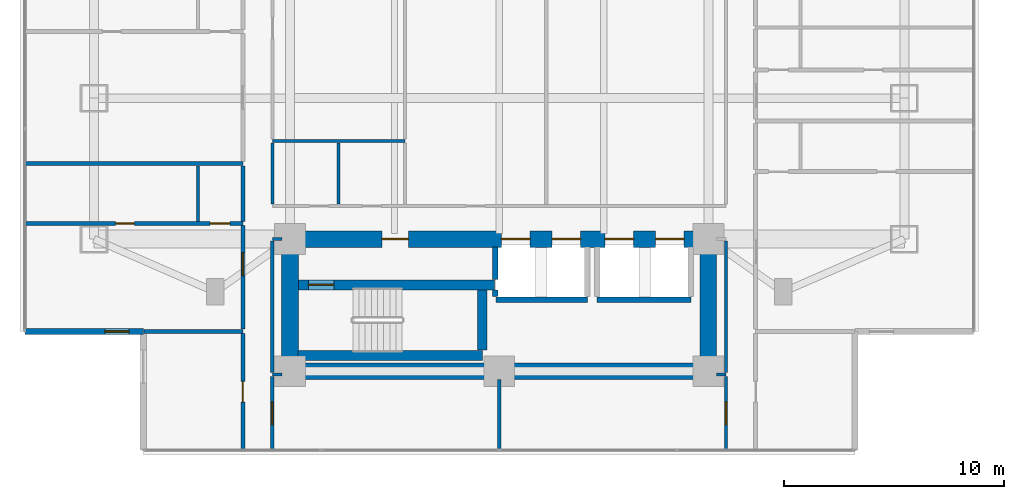
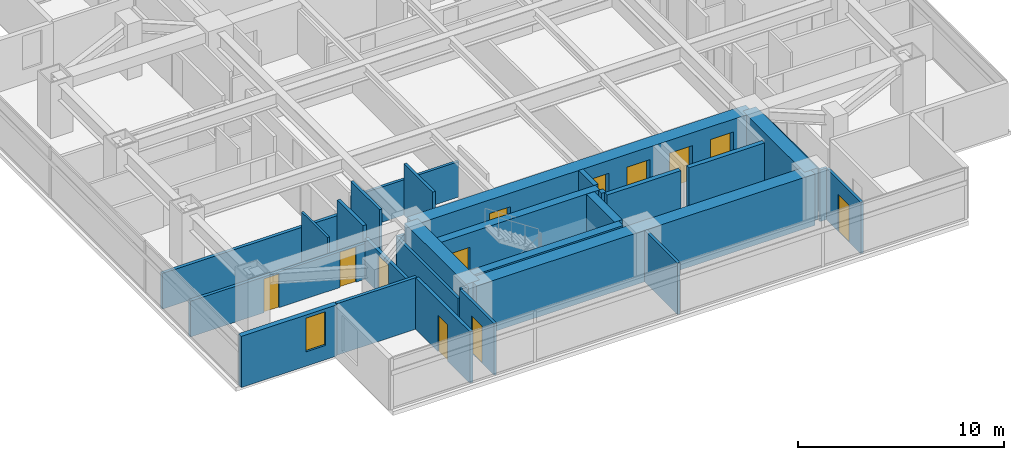
# One storey, part 12 of 23: 30 walls, 12 doors, 1 window, 13 openings.
"""IFC4 building model written with IfcOpenShell, lengths in metres."""

from ifc_helpers import new_model, si_unit, direction, frame, frame_2d, origin, place, context, subcontext, project, spatial, rectangle, extrude, material, layer, layer_set, type_object, element, fill, save


model = new_model("IFC4")

# Units and contexts
model_context = context("Model", 3, precision=1e-05, world=origin(), true_north=direction((0.0, 1.0)))
body_context = subcontext(model_context, "Body", "Model", "MODEL_VIEW")
ifc_project = project(units=[si_unit("LENGTHUNIT", "METRE"), si_unit("AREAUNIT", "SQUARE_METRE"), si_unit("VOLUMEUNIT", "CUBIC_METRE"), si_unit("PLANEANGLEUNIT", "RADIAN"), si_unit("MASSUNIT", "GRAM", prefix="KILO")], contexts=[model_context])

# Site, building, storey
site_placement = place(None, origin())
site = spatial("IfcSite", under=ifc_project, at=site_placement, CompositionType="ELEMENT")
building_placement = place(site_placement, origin())
building = spatial("IfcBuilding", under=site, at=building_placement, Name="Mirazonda Arch Towers", CompositionType="ELEMENT")
storey_placement = place(building_placement, frame((0.0, 0.0, 29.0)))
storey = spatial("IfcBuildingStorey", under=building, at=storey_placement, Name="L07", CompositionType="ELEMENT", Elevation=29.0)

# Wall
ifc_material_1 = material(Name="Concrete C50/60", Category="concrete")
ifc_layer_1 = layer(ifc_material_1, 0.449951171875, Name="WALL-CORE-450")
ifc_layer_set_1 = layer_set([ifc_layer_1], Name="Concrete C50/60")
wall_type_1 = type_object("IfcWallType", Name="WALL-CORE-450", PredefinedType="SHEAR", material=ifc_layer_set_1)
wall_1_placement = place(storey_placement, frame((11.3701171875, 13.1201171875, 0.0), z_axis=(0.0, 0.0, 1.0), x_axis=(1.0, 0.0, 0.0)))
element("IfcWall", 1, at=wall_1_placement, inside=storey, type_object=wall_type_1, Name="L07 Stair Core Shear Wall 003", PredefinedType="SHEAR", context=body_context, shape_type="SweptSolid", body=[
    extrude(rectangle(XDim=8.35986328125, YDim=0.449951171875, at=frame_2d((4.179931640625, 0.0))), origin(), (0.0, 0.0, 1.0), 3.06005859375),
])

# Wall, opening, door
wall_2_placement = place(storey_placement, frame((11.3701171875, 16.320068359375, 0.0), z_axis=(0.0, 0.0, 1.0), x_axis=(1.0, 0.0, 0.0)))
wall_2 = element("IfcWall", 2, at=wall_2_placement, inside=storey, type_object=wall_type_1, Name="L07 Stair Core Shear Wall 008", PredefinedType="SHEAR", context=body_context, shape_type="SweptSolid", body=[
    extrude(rectangle(XDim=8.909912109375, YDim=0.449951171875, at=frame_2d((4.455078125, 0.0))), origin(), (0.0, 0.0, 1.0), 3.06005859375),
])
opening_1_placement = place(wall_2_placement, frame((0.469970703125, 0.0, 0.0)))
opening_1 = element("IfcOpeningElement", 3, at=opening_1_placement, cuts=wall_2, Name="Opening DR-135", PredefinedType="OPENING", context=body_context, shape_type="SweptSolid", body=[
    extrude(rectangle(XDim=1.14990234375, YDim=2.199951171875, at=frame_2d((0.574951171875, 1.10009765625))), frame((0.0, 0.23486328125, 0.0), z_axis=(0.0, -1.0, 0.0), x_axis=(1.0, 0.0, 0.0)), (0.0, 0.0, 1.0), 0.469970703125),
])
ifc_material_2 = material(Name="Architectural Brushed Steel S355", Category="steel")
door_type_1 = type_object("IfcDoorType", Name="DOOR-STAIR-FD90-1150", OperationType="NOTDEFINED", PredefinedType="DOOR", material=ifc_material_2)
door_1_placement = place(opening_1_placement, origin())
door_1 = element("IfcDoor", 4, at=door_1_placement, inside=storey, type_object=door_type_1, Name="L07 Protected Exit Stair South Door", OperationType="SINGLE_SWING_LEFT", OverallHeight=2.199951171875, OverallWidth=1.14990234375, PredefinedType="DOOR", context=body_context, shape_type="SweptSolid", body=[
    extrude(rectangle(XDim=1.14990234375, YDim=2.199951171875, at=frame_2d((0.574951171875, 1.10009765625))), frame((0.0, 0.02490234375, 0.0), z_axis=(0.0, -1.0, 0.0), x_axis=(1.0, 0.0, 0.0)), (0.0, 0.0, 1.0), 0.050048828125),
])
fill(opening_1, door_1)

# Walls
wall_3_placement = place(storey_placement, frame((19.72998046875, 13.35498046875, 0.0), z_axis=(0.0, 0.0, 1.0), x_axis=(0.0, 1.0, 0.0)))
element("IfcWall", 5, at=wall_3_placement, inside=storey, type_object=wall_type_1, Name="L07 Stair Core Shear Wall 085", PredefinedType="SHEAR", context=body_context, shape_type="SweptSolid", body=[
    extrude(rectangle(XDim=2.72998046875, YDim=0.449951171875, at=frame_2d((1.364990234375, 0.0))), origin(), (0.0, 0.0, 1.0), 3.06005859375),
])
ifc_material_3 = material(Name="Concrete C60/75", Category="concrete")
ifc_layer_2 = layer(ifc_material_3, 0.75, Name="WALL-CORE-750")
ifc_layer_set_2 = layer_set([ifc_layer_2], Name="Concrete C60/75")
wall_type_2 = type_object("IfcWallType", Name="WALL-CORE-750", PredefinedType="SHEAR", material=ifc_layer_set_2)
wall_4_placement = place(storey_placement, frame((11.0, 12.39990234375, 0.0), z_axis=(0.0, 0.0, 1.0), x_axis=(1.0, 0.0, 0.0)))
element("IfcWall", 6, at=wall_4_placement, inside=storey, type_object=wall_type_2, Name="L07 T1S-S Core Shear Wall", PredefinedType="SHEAR", context=body_context, shape_type="SweptSolid", body=[
    extrude(rectangle(XDim=19.0, YDim=0.75, at=frame_2d((9.5, 0.0))), origin(), (0.0, 0.0, 1.0), 3.06005859375),
])
for number, where, z_axis, x_axis, name in (
    (7, (11.0, 12.39990234375, 0.0), (0.0, 0.0, 1.0), (0.0, 1.0, 0.0), "L07 T1S-W Core Shear Wall"),
    (8, (30.0, 12.39990234375, 0.0), (0.0, 0.0, 1.0), (0.0, 1.0, 0.0), "L07 T1S-E Core Shear Wall"),
):
    element("IfcWall", number, at=place(storey_placement, frame(where, z_axis=z_axis, x_axis=x_axis)), inside=storey, type_object=wall_type_2, Name=name, PredefinedType="SHEAR", context=body_context, shape_type="SweptSolid", body=[
        extrude(rectangle(XDim=6.0, YDim=0.75, at=frame_2d((3.0, 0.0))), origin(), (0.0, 0.0, 1.0), 3.06005859375),
    ])

# Wall, openings, doors
wall_5_placement = place(storey_placement, frame((11.0, 18.39990234375, 0.0), z_axis=(0.0, 0.0, 1.0), x_axis=(1.0, 0.0, 0.0)))
wall_5 = element("IfcWall", 9, at=wall_5_placement, inside=storey, type_object=wall_type_2, Name="L07 T1S-N Core Shear Wall", PredefinedType="SHEAR", context=body_context, shape_type="SweptSolid", body=[
    extrude(rectangle(XDim=19.0, YDim=0.75, at=frame_2d((9.5, 0.0))), origin(), (0.0, 0.0, 1.0), 3.06005859375),
])
opening_2_placement = place(wall_5_placement, frame((4.175048828125, 0.0, 0.0)))
opening_2 = element("IfcOpeningElement", 10, at=opening_2_placement, cuts=wall_5, Name="Opening DR-117", PredefinedType="OPENING", context=body_context, shape_type="SweptSolid", body=[
    extrude(rectangle(XDim=1.199951171875, YDim=2.25, at=frame_2d((0.60009765625, 1.125))), frame((0.0, 0.385009765625, 0.0), z_axis=(0.0, -1.0, 0.0), x_axis=(1.0, 0.0, 0.0)), (0.0, 0.0, 1.0), 0.77001953125),
])
opening_3_placement = place(wall_5_placement, frame((9.60009765625, 0.0, 0.0)))
opening_3 = element("IfcOpeningElement", 11, at=opening_3_placement, cuts=wall_5, Name="Opening LD-111", PredefinedType="OPENING", context=body_context, shape_type="SweptSolid", body=[
    extrude(rectangle(XDim=1.300048828125, YDim=2.300048828125, at=frame_2d((0.64990234375, 1.14990234375))), frame((0.0, 0.385009765625, 0.0), z_axis=(0.0, -1.0, 0.0), x_axis=(1.0, 0.0, 0.0)), (0.0, 0.0, 1.0), 0.77001953125),
])
opening_4_placement = place(wall_5_placement, frame((11.89990234375, 0.0, 0.0)))
opening_4 = element("IfcOpeningElement", 12, at=opening_4_placement, cuts=wall_5, Name="Opening LD-111", PredefinedType="OPENING", context=body_context, shape_type="SweptSolid", body=[
    extrude(rectangle(XDim=1.300048828125, YDim=2.300048828125, at=frame_2d((0.64990234375, 1.14990234375))), frame((0.0, 0.385009765625, 0.0), z_axis=(0.0, -1.0, 0.0), x_axis=(1.0, 0.0, 0.0)), (0.0, 0.0, 1.0), 0.77001953125),
])
opening_5_placement = place(wall_5_placement, frame((14.300048828125, 0.0, 0.0)))
opening_5 = element("IfcOpeningElement", 13, at=opening_5_placement, cuts=wall_5, Name="Opening LD-111", PredefinedType="OPENING", context=body_context, shape_type="SweptSolid", body=[
    extrude(rectangle(XDim=1.300048828125, YDim=2.300048828125, at=frame_2d((0.64990234375, 1.14990234375))), frame((0.0, 0.385009765625, 0.0), z_axis=(0.0, -1.0, 0.0), x_axis=(1.0, 0.0, 0.0)), (0.0, 0.0, 1.0), 0.77001953125),
])
opening_6_placement = place(wall_5_placement, frame((16.60009765625, 0.0, 0.0)))
opening_6 = element("IfcOpeningElement", 14, at=opening_6_placement, cuts=wall_5, Name="Opening LD-111", PredefinedType="OPENING", context=body_context, shape_type="SweptSolid", body=[
    extrude(rectangle(XDim=1.300048828125, YDim=2.300048828125, at=frame_2d((0.64990234375, 1.14990234375))), frame((0.0, 0.385009765625, 0.0), z_axis=(0.0, -1.0, 0.0), x_axis=(1.0, 0.0, 0.0)), (0.0, 0.0, 1.0), 0.77001953125),
])
door_type_2 = type_object("IfcDoorType", Name="DOOR-FFL-FD90-1200", OperationType="NOTDEFINED", PredefinedType="DOOR", material=ifc_material_2)
door_2_placement = place(opening_2_placement, origin())
door_2 = element("IfcDoor", 15, at=door_2_placement, inside=storey, type_object=door_type_2, Name="L07 South Core Stair & Lift Lobby Door", OperationType="SINGLE_SWING_RIGHT", OverallHeight=2.25, OverallWidth=1.199951171875, PredefinedType="DOOR", context=body_context, shape_type="SweptSolid", body=[
    extrude(rectangle(XDim=1.199951171875, YDim=2.25, at=frame_2d((0.60009765625, 1.125))), frame((0.0, 0.02490234375, 0.0), z_axis=(0.0, -1.0, 0.0), x_axis=(1.0, 0.0, 0.0)), (0.0, 0.0, 1.0), 0.050048828125),
])
fill(opening_2, door_2)
door_type_3 = type_object("IfcDoorType", Name="DOOR-LIFT-LAND-1300", OperationType="NOTDEFINED", PredefinedType="DOOR", material=ifc_material_2)
door_3_placement = place(opening_3_placement, origin())
door_3 = element("IfcDoor", 16, at=door_3_placement, inside=storey, type_object=door_type_3, Name="L07 Lift Landing Sliding Door PL-T1M1", OperationType="DOUBLE_DOOR_SLIDING", OverallHeight=2.300048828125, OverallWidth=1.300048828125, PredefinedType="DOOR", context=body_context, shape_type="SweptSolid", body=[
    extrude(rectangle(XDim=1.300048828125, YDim=2.300048828125, at=frame_2d((0.64990234375, 1.14990234375))), frame((0.0, 0.02490234375, 0.0), z_axis=(0.0, -1.0, 0.0), x_axis=(1.0, 0.0, 0.0)), (0.0, 0.0, 1.0), 0.050048828125),
])
fill(opening_3, door_3)
door_4_placement = place(opening_4_placement, origin())
door_4 = element("IfcDoor", 17, at=door_4_placement, inside=storey, type_object=door_type_3, Name="L07 Lift Landing Sliding Door PL-T1M2", OperationType="DOUBLE_DOOR_SLIDING", OverallHeight=2.300048828125, OverallWidth=1.300048828125, PredefinedType="DOOR", context=body_context, shape_type="SweptSolid", body=[
    extrude(rectangle(XDim=1.300048828125, YDim=2.300048828125, at=frame_2d((0.64990234375, 1.14990234375))), frame((0.0, 0.02490234375, 0.0), z_axis=(0.0, -1.0, 0.0), x_axis=(1.0, 0.0, 0.0)), (0.0, 0.0, 1.0), 0.050048828125),
])
fill(opening_4, door_4)
door_5_placement = place(opening_5_placement, origin())
door_5 = element("IfcDoor", 18, at=door_5_placement, inside=storey, type_object=door_type_3, Name="L07 Lift Landing Sliding Door PL-T1H1", OperationType="DOUBLE_DOOR_SLIDING", OverallHeight=2.300048828125, OverallWidth=1.300048828125, PredefinedType="DOOR", context=body_context, shape_type="SweptSolid", body=[
    extrude(rectangle(XDim=1.300048828125, YDim=2.300048828125, at=frame_2d((0.64990234375, 1.14990234375))), frame((0.0, 0.02490234375, 0.0), z_axis=(0.0, -1.0, 0.0), x_axis=(1.0, 0.0, 0.0)), (0.0, 0.0, 1.0), 0.050048828125),
])
fill(opening_5, door_5)
door_6_placement = place(opening_6_placement, origin())
door_6 = element("IfcDoor", 19, at=door_6_placement, inside=storey, type_object=door_type_3, Name="L07 Lift Landing Sliding Door PL-T1H2", OperationType="DOUBLE_DOOR_SLIDING", OverallHeight=2.300048828125, OverallWidth=1.300048828125, PredefinedType="DOOR", context=body_context, shape_type="SweptSolid", body=[
    extrude(rectangle(XDim=1.300048828125, YDim=2.300048828125, at=frame_2d((0.64990234375, 1.14990234375))), frame((0.0, 0.02490234375, 0.0), z_axis=(0.0, -1.0, 0.0), x_axis=(1.0, 0.0, 0.0)), (0.0, 0.0, 1.0), 0.050048828125),
])
fill(opening_6, door_6)

# Wall, opening, window
ifc_material_4 = material(Name="Precast Concrete C40/50", Category="concrete")
ifc_layer_3 = layer(ifc_material_4, 0.280029296875, Name="WALL-EXT-WALL-280")
ifc_layer_set_3 = layer_set([ifc_layer_3], Name="Precast Concrete C40/50")
wall_type_3 = type_object("IfcWallType", Name="WALL-EXT-WALL-280", PredefinedType="SOLIDWALL", material=ifc_layer_set_3)
wall_6_placement = place(storey_placement, frame((-1.0400390625, 14.2041015625, 0.0), z_axis=(0.0, 0.0, 1.0), x_axis=(1.0, 0.0, 0.0)))
wall_6 = element("IfcWall", 20, at=wall_6_placement, inside=storey, type_object=wall_type_3, Name="L07 T1 Corner Notch Return Wall WL-L07-T1-CSW2", PredefinedType="SOLIDWALL", context=body_context, shape_type="SweptSolid", body=[
    extrude(rectangle(XDim=5.380126953125, YDim=0.280029296875, at=frame_2d((2.68994140625, 0.0))), origin(), (0.0, 0.0, 1.0), 3.0400390625),
])
opening_7_placement = place(wall_6_placement, frame((3.6298828125, 0.0, 0.85009765625)))
opening_7 = element("IfcOpeningElement", 21, at=opening_7_placement, cuts=wall_6, Name="Opening WN-108", PredefinedType="OPENING", context=body_context, shape_type="SweptSolid", body=[
    extrude(rectangle(XDim=1.10009765625, YDim=2.0, at=frame_2d((0.550048828125, 1.0))), frame((0.0, 0.14990234375, 0.0), z_axis=(0.0, -1.0, 0.0), x_axis=(1.0, 0.0, 0.0)), (0.0, 0.0, 1.0), 0.300048828125),
])
ifc_material_5 = material(Name="Insulated Low-E Solar Glass", Category="glass")
window_type = type_object("IfcWindowType", Name="WIN-NOTCH-1100x2000", PartitioningType="SINGLE_PANEL", PredefinedType="WINDOW", material=ifc_material_5)
window_placement = place(opening_7_placement, origin())
window = element("IfcWindow", 22, at=window_placement, inside=storey, type_object=window_type, Name="L07 Punched Facade Window WN-L07-T1-CSW2", OverallHeight=2.0, OverallWidth=1.10009765625, PartitioningType="SINGLE_PANEL", PredefinedType="WINDOW", context=body_context, shape_type="SweptSolid", body=[
    extrude(rectangle(XDim=1.10009765625, YDim=2.0, at=frame_2d((0.550048828125, 1.0))), frame((0.0, 0.030029296875, 0.0), z_axis=(0.0, -1.0, 0.0), x_axis=(1.0, 0.0, 0.0)), (0.0, 0.0, 1.0), 0.06005859375),
])
fill(opening_7, window)

# Walls
ifc_material_6 = material(Name="Fire-Rated Gypsum Stud Partition")
ifc_layer_4 = layer(ifc_material_6, 0.14990234375, Name="WALL-PART-CORR-150")
ifc_layer_set_4 = layer_set([ifc_layer_4], Name="Fire-Rated Gypsum Stud Partition")
wall_type_4 = type_object("IfcWallType", Name="WALL-PART-CORR-150", PredefinedType="PARTITIONING", material=ifc_layer_set_4)
for number, where, z_axis, x_axis, name in (
    (23, (10.199951171875, 12.25, 0.0), (0.0, 0.0, 1.0), (1.0, 0.0, 0.0), "L07 Interior Partition 001"),
    (24, (30.3701171875, 12.25, 0.0), (0.0, 0.0, 1.0), (1.0, 0.0, 0.0), "L07 Interior Partition 002"),
):
    element("IfcWall", number, at=place(storey_placement, frame(where, z_axis=z_axis, x_axis=x_axis)), inside=storey, type_object=wall_type_4, Name=name, PredefinedType="PARTITIONING", context=body_context, shape_type="SweptSolid", body=[
        extrude(rectangle(XDim=0.429931640625, YDim=0.14990234375, at=frame_2d((0.21484375, 0.0))), origin(), (0.0, 0.0, 1.0), 3.06005859375),
    ])
wall_7_placement = place(storey_placement, frame((10.199951171875, 18.39990234375, 0.0), z_axis=(0.0, 0.0, 1.0), x_axis=(1.0, 0.0, 0.0)))
element("IfcWall", 25, at=wall_7_placement, inside=storey, type_object=wall_type_4, Name="L07 Interior Partition 012", PredefinedType="PARTITIONING", context=body_context, shape_type="SweptSolid", body=[
    extrude(rectangle(XDim=0.429931640625, YDim=0.14990234375, at=frame_2d((0.21484375, 0.0))), origin(), (0.0, 0.0, 1.0), 2.43603515625),
])
wall_8_placement = place(storey_placement, frame((10.199951171875, 22.85009765625, 0.0), z_axis=(0.0, 0.0, 1.0), x_axis=(1.0, 0.0, 0.0)))
element("IfcWall", 26, at=wall_8_placement, inside=storey, type_object=wall_type_4, Name="L07 Interior Partition 024", PredefinedType="PARTITIONING", context=body_context, shape_type="SweptSolid", body=[
    extrude(rectangle(XDim=6.02001953125, YDim=0.14990234375, at=frame_2d((3.010009765625, 0.0))), origin(), (0.0, 0.0, 1.0), 2.10400390625),
])

# Wall, opening, door
wall_9_placement = place(storey_placement, frame((10.199951171875, 8.823974609375, 0.0), z_axis=(0.0, 0.0, 1.0), x_axis=(0.0, 1.0, 0.0)))
wall_9 = element("IfcWall", 27, at=wall_9_placement, inside=storey, type_object=wall_type_4, Name="L07 Interior Partition 074", PredefinedType="PARTITIONING", context=body_context, shape_type="SweptSolid", body=[
    extrude(rectangle(XDim=3.341064453125, YDim=0.14990234375, at=frame_2d((1.67041015625, 0.0))), origin(), (0.0, 0.0, 1.0), 3.06005859375),
])
opening_8_placement = place(wall_9_placement, frame((1.1455078125, 0.0, 0.0)))
opening_8 = element("IfcOpeningElement", 28, at=opening_8_placement, cuts=wall_9, Name="Opening DR-121", PredefinedType="OPENING", context=body_context, shape_type="SweptSolid", body=[
    extrude(rectangle(XDim=1.050048828125, YDim=2.199951171875, at=frame_2d((0.52490234375, 1.10009765625))), frame((0.0, 0.0849609375, 0.0), z_axis=(0.0, -1.0, 0.0), x_axis=(1.0, 0.0, 0.0)), (0.0, 0.0, 1.0), 0.169921875),
])
door_type_4 = type_object("IfcDoorType", Name="DOOR-SUITE-FD60-1050", OperationType="NOTDEFINED", PredefinedType="DOOR", material=ifc_material_2)
door_7_placement = place(opening_8_placement, origin())
door_7 = element("IfcDoor", 29, at=door_7_placement, inside=storey, type_object=door_type_4, Name="L07 South Horizon Lounge West Door", OperationType="SINGLE_SWING_RIGHT", OverallHeight=2.199951171875, OverallWidth=1.050048828125, PredefinedType="DOOR", context=body_context, shape_type="SweptSolid", body=[
    extrude(rectangle(XDim=1.050048828125, YDim=2.199951171875, at=frame_2d((0.52490234375, 1.10009765625))), frame((0.0, 0.02490234375, 0.0), z_axis=(0.0, -1.0, 0.0), x_axis=(1.0, 0.0, 0.0)), (0.0, 0.0, 1.0), 0.050048828125),
])
fill(opening_8, door_7)

# Walls
wall_10_placement = place(storey_placement, frame((10.199951171875, 12.3349609375, 0.0), z_axis=(0.0, 0.0, 1.0), x_axis=(0.0, 1.0, 0.0)))
element("IfcWall", 30, at=wall_10_placement, inside=storey, type_object=wall_type_4, Name="L07 Interior Partition 075", PredefinedType="PARTITIONING", context=body_context, shape_type="SweptSolid", body=[
    extrude(rectangle(XDim=5.97998046875, YDim=0.14990234375, at=frame_2d((2.989990234375, 0.0))), origin(), (0.0, 0.0, 1.0), 2.43603515625),
])
for number, where, z_axis, x_axis, name in (
    (31, (10.206787109375, 19.985107421875, 0.0), (0.0, 0.0, 1.0), (0.0, 1.0, 0.0), "L07 Interior Partition 076"),
    (32, (13.199951171875, 19.985107421875, 0.0), (0.0, 0.0, 1.0), (0.0, 1.0, 0.0), "L07 Interior Partition 081"),
):
    element("IfcWall", number, at=place(storey_placement, frame(where, z_axis=z_axis, x_axis=x_axis)), inside=storey, type_object=wall_type_4, Name=name, PredefinedType="PARTITIONING", context=body_context, shape_type="SweptSolid", body=[
        extrude(rectangle(XDim=2.77978515625, YDim=0.14990234375, at=frame_2d((1.389892578125, 0.0))), origin(), (0.0, 0.0, 1.0), 3.06005859375),
    ])
wall_11_placement = place(storey_placement, frame((20.5, 8.823974609375, 0.0), z_axis=(0.0, 0.0, 1.0), x_axis=(0.0, 1.0, 0.0)))
element("IfcWall", 33, at=wall_11_placement, inside=storey, type_object=wall_type_4, Name="L07 Interior Partition 089", PredefinedType="PARTITIONING", context=body_context, shape_type="SweptSolid", body=[
    extrude(rectangle(XDim=3.2060546875, YDim=0.14990234375, at=frame_2d((1.60302734375, 0.0))), origin(), (0.0, 0.0, 1.0), 3.06005859375),
])

# Wall, opening, door
wall_12_placement = place(storey_placement, frame((30.800048828125, 8.823974609375, 0.0), z_axis=(0.0, 0.0, 1.0), x_axis=(0.0, 1.0, 0.0)))
wall_12 = element("IfcWall", 34, at=wall_12_placement, inside=storey, type_object=wall_type_4, Name="L07 Interior Partition 100", PredefinedType="PARTITIONING", context=body_context, shape_type="SweptSolid", body=[
    extrude(rectangle(XDim=3.341064453125, YDim=0.14990234375, at=frame_2d((1.67041015625, 0.0))), origin(), (0.0, 0.0, 1.0), 3.06005859375),
])
opening_9_placement = place(wall_12_placement, frame((1.1455078125, 0.0, 0.0)))
opening_9 = element("IfcOpeningElement", 35, at=opening_9_placement, cuts=wall_12, Name="Opening DR-121", PredefinedType="OPENING", context=body_context, shape_type="SweptSolid", body=[
    extrude(rectangle(XDim=1.050048828125, YDim=2.199951171875, at=frame_2d((0.52490234375, 1.10009765625))), frame((0.0, 0.0849609375, 0.0), z_axis=(0.0, -1.0, 0.0), x_axis=(1.0, 0.0, 0.0)), (0.0, 0.0, 1.0), 0.169921875),
])
door_8_placement = place(opening_9_placement, origin())
door_8 = element("IfcDoor", 36, at=door_8_placement, inside=storey, type_object=door_type_4, Name="L07 South Horizon Lounge East Door", OperationType="SINGLE_SWING_LEFT", OverallHeight=2.199951171875, OverallWidth=1.050048828125, PredefinedType="DOOR", context=body_context, shape_type="SweptSolid", body=[
    extrude(rectangle(XDim=1.050048828125, YDim=2.199951171875, at=frame_2d((0.52490234375, 1.10009765625))), frame((0.0, 0.02490234375, 0.0), z_axis=(0.0, -1.0, 0.0), x_axis=(1.0, 0.0, 0.0)), (0.0, 0.0, 1.0), 0.050048828125),
])
fill(opening_9, door_8)

# Walls
wall_13_placement = place(storey_placement, frame((30.800048828125, 12.3349609375, 0.0), z_axis=(0.0, 0.0, 1.0), x_axis=(0.0, 1.0, 0.0)))
element("IfcWall", 37, at=wall_13_placement, inside=storey, type_object=wall_type_4, Name="L07 Interior Partition 101", PredefinedType="PARTITIONING", context=body_context, shape_type="SweptSolid", body=[
    extrude(rectangle(XDim=5.97998046875, YDim=0.14990234375, at=frame_2d((2.989990234375, 0.0))), origin(), (0.0, 0.0, 1.0), 2.43603515625),
])
ifc_material_7 = material(Name="Fire-Rated Gypsum Twin-Stud Assembly")
ifc_layer_5 = layer(ifc_material_7, 0.179931640625, Name="WALL-PART-DEMISE-180")
ifc_layer_set_5 = layer_set([ifc_layer_5], Name="Fire-Rated Gypsum Twin-Stud Assembly")
wall_type_5 = type_object("IfcWallType", Name="WALL-PART-DEMISE-180", PredefinedType="PARTITIONING", material=ifc_layer_set_5)
wall_14_placement = place(storey_placement, frame((4.360107421875, 14.2041015625, 0.0), z_axis=(0.0, 0.0, 1.0), x_axis=(1.0, 0.0, 0.0)))
element("IfcWall", 38, at=wall_14_placement, inside=storey, type_object=wall_type_5, Name="L07 Interior Partition 004", PredefinedType="PARTITIONING", context=body_context, shape_type="SweptSolid", body=[
    extrude(rectangle(XDim=4.5, YDim=0.179931640625, at=frame_2d((2.25, 0.0))), origin(), (0.0, 0.0, 1.0), 3.06005859375),
])

# Wall, openings, doors
wall_15_placement = place(storey_placement, frame((-1.0400390625, 19.10693359375, 0.0), z_axis=(0.0, 0.0, 1.0), x_axis=(1.0, 0.0, 0.0)))
wall_15 = element("IfcWall", 39, at=wall_15_placement, inside=storey, type_object=wall_type_5, Name="L07 Interior Partition 015", PredefinedType="PARTITIONING", context=body_context, shape_type="SweptSolid", body=[
    extrude(rectangle(XDim=9.900146484375, YDim=0.179931640625, at=frame_2d((4.9501953125, 0.0))), origin(), (0.0, 0.0, 1.0), 2.125),
])
opening_10_placement = place(wall_15_placement, frame((4.125, 0.0, 0.0)))
opening_10 = element("IfcOpeningElement", 40, at=opening_10_placement, cuts=wall_15, Name="Opening DR-128", PredefinedType="OPENING", context=body_context, shape_type="SweptSolid", body=[
    extrude(rectangle(XDim=0.85009765625, YDim=2.010009765625, at=frame_2d((0.425048828125, 1.0048828125))), frame((0.0, 0.099853515625, 0.0), z_axis=(0.0, -1.0, 0.0), x_axis=(1.0, 0.0, 0.0)), (0.0, 0.0, 1.0), 0.199951171875),
])
opening_11_placement = place(wall_15_placement, frame((8.409912109375, 0.0, 0.0)))
opening_11 = element("IfcOpeningElement", 41, at=opening_11_placement, cuts=wall_15, Name="Opening DR-120", PredefinedType="OPENING", context=body_context, shape_type="SweptSolid", body=[
    extrude(rectangle(XDim=0.89990234375, YDim=2.10009765625, at=frame_2d((0.449951171875, 1.050048828125))), frame((0.0, 0.099853515625, 0.0), z_axis=(0.0, -1.0, 0.0), x_axis=(1.0, 0.0, 0.0)), (0.0, 0.0, 1.0), 0.199951171875),
])
door_type_5 = type_object("IfcDoorType", Name="DOOR-RISER-FD60-850", OperationType="NOTDEFINED", PredefinedType="DOOR", material=ifc_material_2)
door_9_placement = place(opening_10_placement, origin())
door_9 = element("IfcDoor", 42, at=door_9_placement, inside=storey, type_object=door_type_5, Name="L07 Guestroom Study 1 Door", OperationType="SINGLE_SWING_RIGHT", OverallHeight=2.010009765625, OverallWidth=0.85009765625, PredefinedType="DOOR", context=body_context, shape_type="SweptSolid", body=[
    extrude(rectangle(XDim=0.85009765625, YDim=2.010009765625, at=frame_2d((0.425048828125, 1.0048828125))), frame((0.0, 0.02490234375, 0.0), z_axis=(0.0, -1.0, 0.0), x_axis=(1.0, 0.0, 0.0)), (0.0, 0.0, 1.0), 0.050048828125),
])
fill(opening_10, door_9)
door_type_6 = type_object("IfcDoorType", Name="DOOR-WC-900", OperationType="NOTDEFINED", PredefinedType="DOOR", material=ifc_material_2)
door_10_placement = place(opening_11_placement, origin())
door_10 = element("IfcDoor", 43, at=door_10_placement, inside=storey, type_object=door_type_6, Name="L07 En-Suite Bathroom 1 Door", OperationType="SINGLE_SWING_LEFT", OverallHeight=2.10009765625, OverallWidth=0.89990234375, PredefinedType="DOOR", context=body_context, shape_type="SweptSolid", body=[
    extrude(rectangle(XDim=0.89990234375, YDim=2.10009765625, at=frame_2d((0.449951171875, 1.050048828125))), frame((0.0, 0.02490234375, 0.0), z_axis=(0.0, -1.0, 0.0), x_axis=(1.0, 0.0, 0.0)), (0.0, 0.0, 1.0), 0.050048828125),
])
fill(opening_11, door_10)

# Wall
wall_16_placement = place(storey_placement, frame((-1.0400390625, 21.826904296875, 0.0), z_axis=(0.0, 0.0, 1.0), x_axis=(1.0, 0.0, 0.0)))
element("IfcWall", 44, at=wall_16_placement, inside=storey, type_object=wall_type_5, Name="L07 Interior Partition 022", PredefinedType="PARTITIONING", context=body_context, shape_type="SweptSolid", body=[
    extrude(rectangle(XDim=9.900146484375, YDim=0.179931640625, at=frame_2d((4.9501953125, 0.0))), origin(), (0.0, 0.0, 1.0), 2.125),
])

# Wall, opening, door
wall_17_placement = place(storey_placement, frame((8.860107421875, 8.823974609375, 0.0), z_axis=(0.0, 0.0, 1.0), x_axis=(0.0, 1.0, 0.0)))
wall_17 = element("IfcWall", 45, at=wall_17_placement, inside=storey, type_object=wall_type_5, Name="L07 Interior Partition 066", PredefinedType="PARTITIONING", context=body_context, shape_type="SweptSolid", body=[
    extrude(rectangle(XDim=5.280029296875, YDim=0.179931640625, at=frame_2d((2.64013671875, 0.0))), origin(), (0.0, 0.0, 1.0), 3.06005859375),
])
opening_12_placement = place(wall_17_placement, frame((2.1650390625, 0.0, 0.0)))
opening_12 = element("IfcOpeningElement", 46, at=opening_12_placement, cuts=wall_17, Name="Opening DR-104", PredefinedType="OPENING", context=body_context, shape_type="SweptSolid", body=[
    extrude(rectangle(XDim=0.949951171875, YDim=2.14990234375, at=frame_2d((0.47509765625, 1.074951171875))), frame((0.0, 0.099853515625, 0.0), z_axis=(0.0, -1.0, 0.0), x_axis=(1.0, 0.0, 0.0)), (0.0, 0.0, 1.0), 0.199951171875),
])
door_type_7 = type_object("IfcDoorType", Name="DOOR-ROOM-950", OperationType="NOTDEFINED", PredefinedType="DOOR", material=ifc_material_2)
door_11_placement = place(opening_12_placement, origin())
door_11 = element("IfcDoor", 47, at=door_11_placement, inside=storey, type_object=door_type_7, Name="L07 South Horizon Lounge Alcove West Door", OperationType="SINGLE_SWING_RIGHT", OverallHeight=2.14990234375, OverallWidth=0.949951171875, PredefinedType="DOOR", context=body_context, shape_type="SweptSolid", body=[
    extrude(rectangle(XDim=0.949951171875, YDim=2.14990234375, at=frame_2d((0.47509765625, 1.074951171875))), frame((0.0, 0.02490234375, 0.0), z_axis=(0.0, -1.0, 0.0), x_axis=(1.0, 0.0, 0.0)), (0.0, 0.0, 1.0), 0.050048828125),
])
fill(opening_12, door_11)

wall_18_placement = place(storey_placement, frame((8.860107421875, 14.303955078125, 0.0), z_axis=(0.0, 0.0, 1.0), x_axis=(0.0, 1.0, 0.0)))
wall_18 = element("IfcWall", 48, at=wall_18_placement, inside=storey, type_object=wall_type_5, Name="L07 Interior Partition 067", PredefinedType="PARTITIONING", context=body_context, shape_type="SweptSolid", body=[
    extrude(rectangle(XDim=4.703125, YDim=0.179931640625, at=frame_2d((2.3515625, 0.0))), origin(), (0.0, 0.0, 1.0), 2.43603515625),
])
opening_13_placement = place(wall_18_placement, frame((2.426513671875, 0.0, 0.0)))
opening_13 = element("IfcOpeningElement", 49, at=opening_13_placement, cuts=wall_18, Name="Opening DR-121", PredefinedType="OPENING", context=body_context, shape_type="SweptSolid", body=[
    extrude(rectangle(XDim=1.050048828125, YDim=2.199951171875, at=frame_2d((0.52490234375, 1.10009765625))), frame((0.0, 0.099853515625, 0.0), z_axis=(0.0, -1.0, 0.0), x_axis=(1.0, 0.0, 0.0)), (0.0, 0.0, 1.0), 0.199951171875),
])
door_12_placement = place(opening_13_placement, origin())
door_12 = element("IfcDoor", 50, at=door_12_placement, inside=storey, type_object=door_type_4, Name="L07 King Hotel Guestroom 1 Door", OperationType="SINGLE_SWING_LEFT", OverallHeight=2.199951171875, OverallWidth=1.050048828125, PredefinedType="DOOR", context=body_context, shape_type="SweptSolid", body=[
    extrude(rectangle(XDim=1.050048828125, YDim=2.199951171875, at=frame_2d((0.52490234375, 1.10009765625))), frame((0.0, 0.02490234375, 0.0), z_axis=(0.0, -1.0, 0.0), x_axis=(1.0, 0.0, 0.0)), (0.0, 0.0, 1.0), 0.050048828125),
])
fill(opening_13, door_12)

# Walls
wall_19_placement = place(storey_placement, frame((8.860107421875, 19.20703125, 0.0), z_axis=(0.0, 0.0, 1.0), x_axis=(0.0, 1.0, 0.0)))
element("IfcWall", 51, at=wall_19_placement, inside=storey, type_object=wall_type_5, Name="L07 Interior Partition 068", PredefinedType="PARTITIONING", context=body_context, shape_type="SweptSolid", body=[
    extrude(rectangle(XDim=2.52001953125, YDim=0.179931640625, at=frame_2d((1.260009765625, 0.0))), origin(), (0.0, 0.0, 1.0), 3.06005859375),
])
ifc_material_8 = material(Name="Acoustic Fire-Rated Gypsum Partition")
ifc_layer_6 = layer(ifc_material_8, 0.125, Name="WALL-PART-UNIT-125")
ifc_layer_set_6 = layer_set([ifc_layer_6], Name="Acoustic Fire-Rated Gypsum Partition")
wall_type_6 = type_object("IfcWallType", Name="WALL-PART-UNIT-125", PredefinedType="PARTITIONING", material=ifc_layer_set_6)
wall_20_placement = place(storey_placement, frame((6.820068359375, 19.20703125, 0.0), z_axis=(0.0, 0.0, 1.0), x_axis=(0.0, 1.0, 0.0)))
element("IfcWall", 52, at=wall_20_placement, inside=storey, type_object=wall_type_6, Name="L07 Interior Partition 063", PredefinedType="PARTITIONING", context=body_context, shape_type="SweptSolid", body=[
    extrude(rectangle(XDim=2.52001953125, YDim=0.125, at=frame_2d((1.260009765625, 0.0))), origin(), (0.0, 0.0, 1.0), 3.06005859375),
])
ifc_material_9 = material(Name="Concrete C40/50", Category="concrete")
ifc_layer_7 = layer(ifc_material_9, 0.25, Name="WALL-SHAFT-250")
ifc_layer_set_7 = layer_set([ifc_layer_7], Name="Concrete C40/50")
wall_type_7 = type_object("IfcWallType", Name="WALL-SHAFT-250", PredefinedType="SOLIDWALL", material=ifc_layer_set_7)
wall_21_placement = place(storey_placement, frame((20.35009765625, 15.64990234375, 0.0), z_axis=(0.0, 0.0, 1.0), x_axis=(1.0, 0.0, 0.0)))
element("IfcWall", 53, at=wall_21_placement, inside=storey, type_object=wall_type_7, Name="L07 Interior Partition 006", PredefinedType="SOLIDWALL", context=body_context, shape_type="SweptSolid", body=[
    extrude(rectangle(XDim=4.14990234375, YDim=0.25, at=frame_2d((2.074951171875, 0.0))), origin(), (0.0, 0.0, 1.0), 3.06005859375),
])
wall_22_placement = place(storey_placement, frame((24.949951171875, 15.64990234375, 0.0), z_axis=(0.0, 0.0, 1.0), x_axis=(1.0, 0.0, 0.0)))
element("IfcWall", 54, at=wall_22_placement, inside=storey, type_object=wall_type_7, Name="L07 Interior Partition 007", PredefinedType="SOLIDWALL", context=body_context, shape_type="SweptSolid", body=[
    extrude(rectangle(XDim=4.25, YDim=0.25, at=frame_2d((2.125, 0.0))), origin(), (0.0, 0.0, 1.0), 3.06005859375),
])
wall_23_placement = place(storey_placement, frame((20.31494140625, 15.784912109375, 0.0), z_axis=(0.0, 0.0, 1.0), x_axis=(0.0, 1.0, 0.0)))
element("IfcWall", 55, at=wall_23_placement, inside=storey, type_object=wall_type_7, Name="L07 Interior Partition 087", PredefinedType="SOLIDWALL", context=body_context, shape_type="SweptSolid", body=[
    extrude(rectangle(XDim=0.300048828125, YDim=0.25, at=frame_2d((0.14990234375, 0.0))), origin(), (0.0, 0.0, 1.0), 3.06005859375),
])
wall_24_placement = place(storey_placement, frame((20.31494140625, 16.554931640625, 0.0), z_axis=(0.0, 0.0, 1.0), x_axis=(0.0, 1.0, 0.0)))
element("IfcWall", 56, at=wall_24_placement, inside=storey, type_object=wall_type_7, Name="L07 Interior Partition 088", PredefinedType="SOLIDWALL", context=body_context, shape_type="SweptSolid", body=[
    extrude(rectangle(XDim=1.47509765625, YDim=0.25, at=frame_2d((0.737548828125, 0.0))), origin(), (0.0, 0.0, 1.0), 3.06005859375),
])

save(model, "model.ifc")
